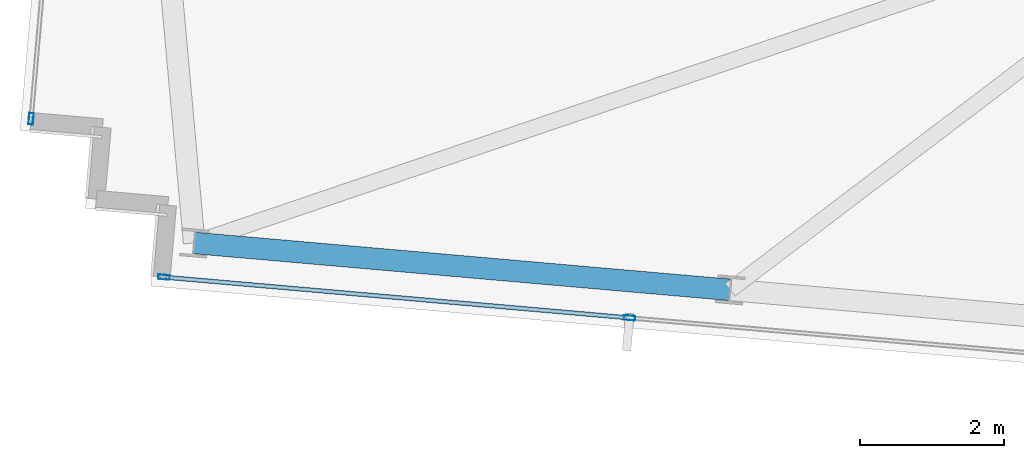
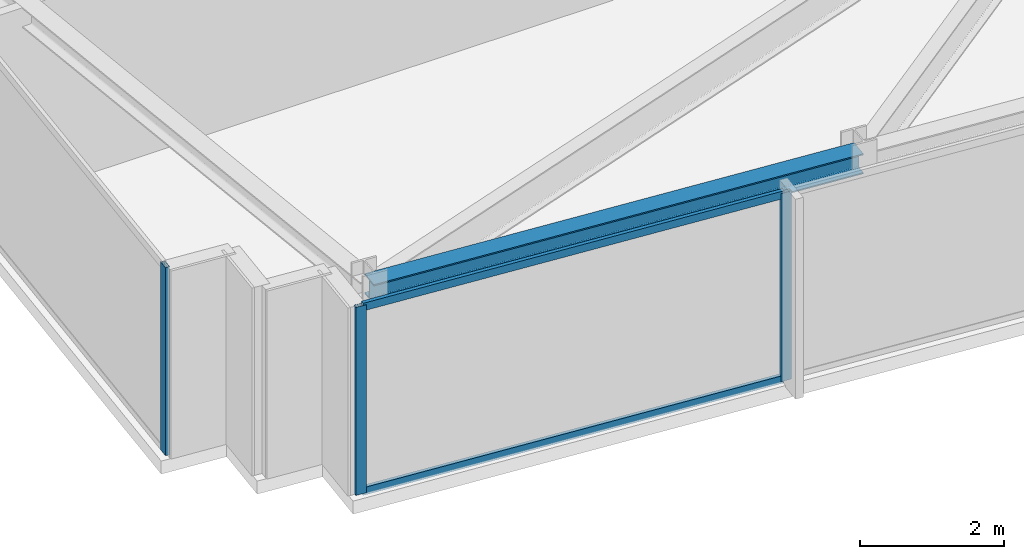
# One storey, part 2 of 32: 5 members, 1 beam, 2 elements without a shape of their own.
"""IFC4 building model written with IfcOpenShell, lengths in metres."""

from ifc_helpers import new_model, si_unit, direction, frame, origin, origin_2d, place, context, subcontext, project, spatial, hollow_rectangle, i_section, extrude, material, material_profile, profile_set, type_object, element, aggregate, save


model = new_model("IFC4")

# Units and contexts
model_context = context("Model", 3, precision=1e-05, world=origin(), true_north=direction((0.0, 1.0)))
body_context = subcontext(model_context, "Body", "Model", "MODEL_VIEW")
ifc_project = project(units=[si_unit("LENGTHUNIT", "METRE"), si_unit("AREAUNIT", "SQUARE_METRE"), si_unit("VOLUMEUNIT", "CUBIC_METRE"), si_unit("PLANEANGLEUNIT", "RADIAN"), si_unit("MASSUNIT", "GRAM", prefix="KILO")], contexts=[model_context])

# Site, building, storey
site_placement = place(None, origin())
site = spatial("IfcSite", under=ifc_project, at=site_placement, CompositionType="ELEMENT")
building_placement = place(site_placement, origin())
building = spatial("IfcBuilding", under=site, at=building_placement, Name="Yelkora Congress Tower", CompositionType="ELEMENT")
storey_placement = place(building_placement, frame((0.0, 0.0, 269.300048828125)))
storey = spatial("IfcBuildingStorey", under=building, at=storey_placement, Name="L75", CompositionType="ELEMENT", Elevation=269.300048828125)

# Beam
ifc_material_1 = material(Name="Steel S355J2", Category="steel")
ifc_material_profile_1 = material_profile(ifc_material_1, i_section(OverallWidth=0.300048828125, OverallDepth=0.340087890625, WebThickness=0.011962890625, FlangeThickness=0.021484375, FilletRadius=0.027099609375, at=origin_2d()), Name="HEB 340")
ifc_profile_set_1 = profile_set([ifc_material_profile_1], Name="Steel S355J2")
beam_type = type_object("IfcBeamType", Name="BM-SPAN-HEB340", PredefinedType="SPANDREL", material=ifc_profile_set_1)
beam_placement = place(storey_placement, frame((7.998046875, 20.097900390625, 3.010009765625), z_axis=(0.996193186297, -0.08717302092, 0.0), x_axis=(0.08717302092, 0.996193186297, 0.0)))
element("IfcBeam", 1, at=beam_placement, inside=storey, type_object=beam_type, Name="L75 Perimeter Beam 1", PredefinedType="SPANDREL", context=body_context, shape_type="SweptSolid", body=[
    extrude(i_section(OverallWidth=0.300048828125, OverallDepth=0.340087890625, WebThickness=0.011962890625, FlangeThickness=0.021484375, FilletRadius=0.027099609375, at=origin_2d()), origin(), (0.0, 0.0, 1.0), 7.4833984375),
])

# Curtain wall, member
ifc_material_2 = material(Name="Anodised aluminium and insulated glass", Category="aluminium")
curtain_wall_type = type_object("IfcCurtainWallType", Name="CW-SYS-B5", PredefinedType="NOTDEFINED", material=ifc_material_2)
curtain_wall_1_placement = place(storey_placement, origin())
curtain_wall_1 = element("IfcCurtainWall", 2, at=curtain_wall_1_placement, inside=storey, type_object=curtain_wall_type, Name="L75 Unitised Curtain Wall 5", PredefinedType="NOTDEFINED")
ifc_material_3 = material(Name="Anodised aluminium 6063-T6", Category="aluminium")
ifc_material_profile_2 = material_profile(ifc_material_3, hollow_rectangle(XDim=0.06494140625, YDim=0.159912109375, WallThickness=0.00390625, at=origin_2d()), Name="ALU 65x160x4")
ifc_profile_set_2 = profile_set([ifc_material_profile_2], Name="Anodised aluminium 6063-T6")
member_type_1 = type_object("IfcMemberType", Name="MEM-ML-B5", PredefinedType="MULLION", material=ifc_profile_set_2)
member_1_placement = place(storey_placement, frame((5.72998046875, 21.824462890625, 0.0), z_axis=(0.0, 0.0, 1.0), x_axis=(-0.996194785929, 0.08715473876, 0.0)))
member_1 = element("IfcMember", 3, at=member_1_placement, type_object=member_type_1, Name="CW-B5 mullion 1", PredefinedType="MULLION", context=body_context, shape_type="SweptSolid", body=[
    extrude(hollow_rectangle(XDim=0.06494140625, YDim=0.159912109375, WallThickness=0.00390625, at=origin_2d()), origin(), (0.0, 0.0, 1.0), 3.179931640625),
])
aggregate(curtain_wall_1, [member_1])

# Curtain wall, members
curtain_wall_2_placement = place(storey_placement, origin())
curtain_wall_2 = element("IfcCurtainWall", 4, at=curtain_wall_2_placement, inside=storey, type_object=curtain_wall_type, Name="L75 Unitised Curtain Wall 20", PredefinedType="NOTDEFINED")
member_2_placement = place(storey_placement, frame((14.0517578125, 19.05615234375, 0.0), z_axis=(0.0, 0.0, 1.0), x_axis=(-0.087156829793, -0.996194602987, 0.0)))
member_2 = element("IfcMember", 5, at=member_2_placement, type_object=member_type_1, Name="CW-B5 mullion 7", PredefinedType="MULLION", context=body_context, shape_type="SweptSolid", body=[
    extrude(hollow_rectangle(XDim=0.06494140625, YDim=0.159912109375, WallThickness=0.00390625, at=origin_2d()), origin(), (0.0, 0.0, 1.0), 3.179931640625),
])
member_3_placement = place(storey_placement, frame((7.57763671875, 19.62255859375, 0.0), z_axis=(0.0, 0.0, 1.0), x_axis=(-0.087156829793, -0.996194602987, 0.0)))
member_3 = element("IfcMember", 6, at=member_3_placement, type_object=member_type_1, Name="CW-B5 mullion 8", PredefinedType="MULLION", context=body_context, shape_type="SweptSolid", body=[
    extrude(hollow_rectangle(XDim=0.06494140625, YDim=0.159912109375, WallThickness=0.00390625, at=origin_2d()), origin(), (0.0, 0.0, 1.0), 3.179931640625),
])
ifc_material_profile_3 = material_profile(ifc_material_3, hollow_rectangle(XDim=0.06005859375, YDim=0.1298828125, WallThickness=0.00390625, at=origin_2d()), Name="ALU 60x130x4")
ifc_profile_set_3 = profile_set([ifc_material_profile_3], Name="Anodised aluminium 6063-T6")
member_type_2 = type_object("IfcMemberType", Name="MEM-TR-B5", PredefinedType="USERDEFINED", material=ifc_profile_set_3)
member_4_placement = place(storey_placement, frame((14.019287109375, 19.05908203125, 0.030029296875), z_axis=(-0.996194170551, 0.08716177236, 0.0), x_axis=(-0.08716177236, -0.996194170551, 0.0)))
member_4 = element("IfcMember", 7, at=member_4_placement, type_object=member_type_2, Name="CW-B5 transom 7.1", ObjectType="TRANSOM", PredefinedType="USERDEFINED", context=body_context, shape_type="SweptSolid", body=[
    extrude(hollow_rectangle(XDim=0.06005859375, YDim=0.1298828125, WallThickness=0.00390625, at=origin_2d()), origin(), (0.0, 0.0, 1.0), 6.433837890625),
])
member_5_placement = place(storey_placement, frame((14.019287109375, 19.05908203125, 3.14990234375), z_axis=(-0.996194170551, 0.08716177236, 0.0), x_axis=(-0.08716177236, -0.996194170551, 0.0)))
member_5 = element("IfcMember", 8, at=member_5_placement, type_object=member_type_2, Name="CW-B5 transom 7.2", ObjectType="TRANSOM", PredefinedType="USERDEFINED", context=body_context, shape_type="SweptSolid", body=[
    extrude(hollow_rectangle(XDim=0.06005859375, YDim=0.1298828125, WallThickness=0.00390625, at=origin_2d()), origin(), (0.0, 0.0, 1.0), 6.433837890625),
])
aggregate(curtain_wall_2, [member_2, member_3, member_4, member_5])

save(model, "model.ifc")
